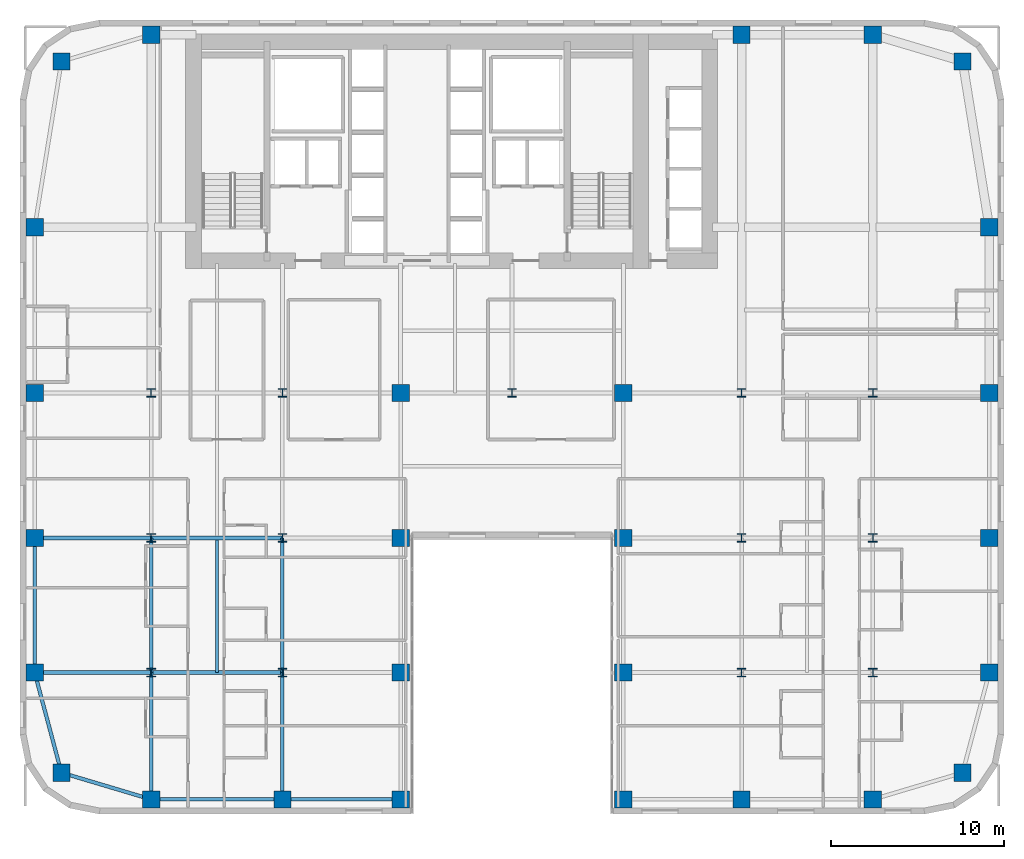
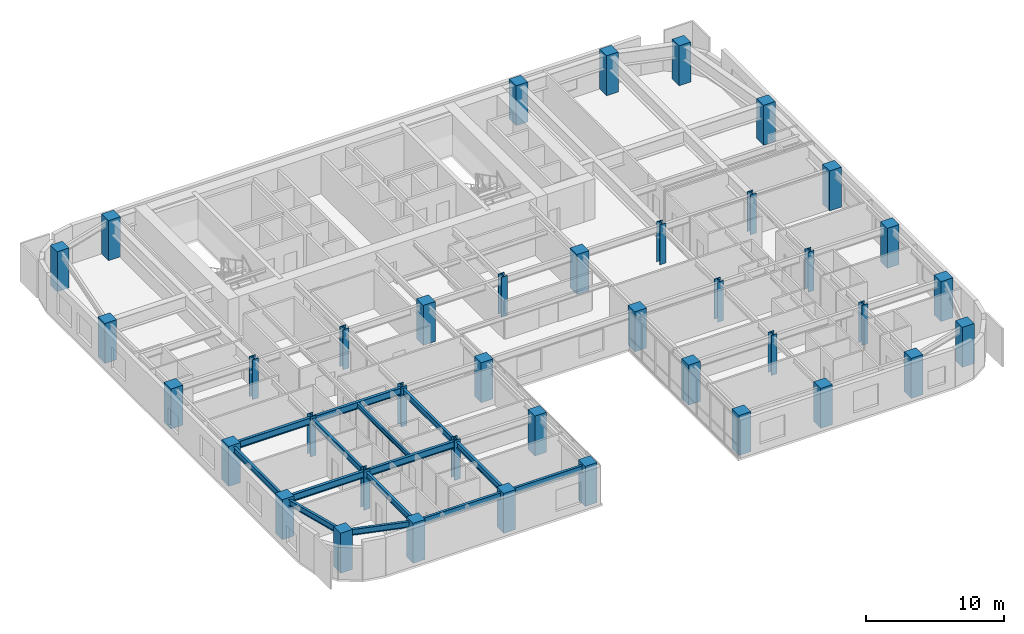
# One storey, part 1 of 17: 40 columns, 14 beams.
"""IFC4 building model written with IfcOpenShell, lengths in metres."""

from ifc_helpers import new_model, si_unit, direction, frame, origin, origin_2d, place, context, subcontext, project, spatial, rectangle, i_section, extrude, source, transform, mapped, material, material_profile, profile_set, type_object, type_shapes, element, save


model = new_model("IFC4")

# Units and contexts
model_context = context("Model", 3, precision=1e-05, world=origin(), true_north=direction((0.0, 1.0)))
body_context = subcontext(model_context, "Body", "Model", "MODEL_VIEW")
ifc_project = project(units=[si_unit("LENGTHUNIT", "METRE"), si_unit("AREAUNIT", "SQUARE_METRE"), si_unit("VOLUMEUNIT", "CUBIC_METRE"), si_unit("PLANEANGLEUNIT", "RADIAN"), si_unit("MASSUNIT", "GRAM", prefix="KILO")], contexts=[model_context])

# Site, building, storey
site_placement = place(None, origin())
site = spatial("IfcSite", under=ifc_project, at=site_placement, CompositionType="ELEMENT")
building_placement = place(site_placement, origin())
building = spatial("IfcBuilding", under=site, at=building_placement, Name="Tolvann Quenvar Hotel", CompositionType="ELEMENT")
storey_placement = place(building_placement, frame((0.0, 0.0, 42.64990234375)))
storey = spatial("IfcBuildingStorey", under=building, at=storey_placement, Name="L09", CompositionType="ELEMENT", Elevation=42.64990234375)

# Columns
ifc_material_1 = material(Name="Concrete S65 (65 MPa)", Category="concrete")
ifc_material_profile_1 = material_profile(ifc_material_1, rectangle(XDim=1.0, YDim=1.0, at=origin_2d()), Name="RC1000x1000")
ifc_profile_set_1 = profile_set([ifc_material_profile_1], Name="Concrete S65 (65 MPa)")
column_type_1 = type_object("IfcColumnType", Name="COL_RC1000", PredefinedType="COLUMN", material=ifc_profile_set_1)
shared_shape_1 = source(origin(), body_context, "Body", "SweptSolid", [
    extrude(rectangle(XDim=1.0, YDim=1.0, at=origin_2d()), origin(), (0.0, 0.0, 1.0), 3.550048828125),
])
type_shapes(column_type_1, [shared_shape_1])
for number, where, z_axis, x_axis, name in (
    (1, (2.39990234375, 2.39990234375, 0.0), (0.0, 0.0, 1.0), (1.0, 0.0, 0.0), "Column B2 (L09)"),
    (2, (0.85009765625, 8.199951171875, 0.0), (0.0, 0.0, 1.0), (1.0, 0.0, 0.0), "Column B3 (L09)"),
    (3, (0.85009765625, 16.0, 0.0), (0.0, 0.0, 1.0), (1.0, 0.0, 0.0), "Column B4 (L09)"),
    (4, (0.85009765625, 24.39990234375, 0.0), (0.0, 0.0, 1.0), (1.0, 0.0, 0.0), "Column B5 (L09)"),
    (5, (7.60009765625, 0.85009765625, 0.0), (0.0, 0.0, 1.0), (1.0, 0.0, 0.0), "Column C2 (L09)"),
    (6, (15.199951171875, 0.85009765625, 0.0), (0.0, 0.0, 1.0), (1.0, 0.0, 0.0), "Column D2 (L09)"),
    (7, (22.050048828125, 0.85009765625, 0.0), (0.0, 0.0, 1.0), (1.0, 0.0, 0.0), "Column E2 (L09)"),
    (8, (22.050048828125, 8.199951171875, 0.0), (0.0, 0.0, 1.0), (1.0, 0.0, 0.0), "Column E3 (L09)"),
    (9, (22.050048828125, 16.0, 0.0), (0.0, 0.0, 1.0), (1.0, 0.0, 0.0), "Column E4 (L09)"),
    (10, (22.050048828125, 24.39990234375, 0.0), (0.0, 0.0, 1.0), (1.0, 0.0, 0.0), "Column E5 (L09)"),
    (11, (34.949951171875, 0.85009765625, 0.0), (0.0, 0.0, 1.0), (1.0, 0.0, 0.0), "Column F2 (L09)"),
    (12, (34.949951171875, 8.199951171875, 0.0), (0.0, 0.0, 1.0), (1.0, 0.0, 0.0), "Column F3 (L09)"),
    (13, (34.949951171875, 16.0, 0.0), (0.0, 0.0, 1.0), (1.0, 0.0, 0.0), "Column F4 (L09)"),
    (14, (34.949951171875, 24.39990234375, 0.0), (0.0, 0.0, 1.0), (1.0, 0.0, 0.0), "Column F5 (L09)"),
    (15, (41.800048828125, 0.85009765625, 0.0), (0.0, 0.0, 1.0), (1.0, 0.0, 0.0), "Column H2 (L09)"),
    (16, (49.39990234375, 0.85009765625, 0.0), (0.0, 0.0, 1.0), (1.0, 0.0, 0.0), "Column I2 (L09)"),
    (17, (54.60009765625, 2.39990234375, 0.0), (0.0, 0.0, 1.0), (1.0, 0.0, 0.0), "Column J2 (L09)"),
    (18, (56.14990234375, 8.199951171875, 0.0), (0.0, 0.0, 1.0), (1.0, 0.0, 0.0), "Column J3 (L09)"),
    (19, (56.14990234375, 16.0, 0.0), (0.0, 0.0, 1.0), (1.0, 0.0, 0.0), "Column J4 (L09)"),
    (20, (56.14990234375, 24.39990234375, 0.0), (0.0, 0.0, 1.0), (1.0, 0.0, 0.0), "Column J5 (L09)"),
    (21, (2.39990234375, 43.60009765625, 0.0), (0.0, 0.0, 1.0), (1.0, 0.0, 0.0), "Column BN (L09)"),
    (22, (7.60009765625, 45.14990234375, 0.0), (0.0, 0.0, 1.0), (1.0, 0.0, 0.0), "Column CN (L09)"),
    (23, (0.85009765625, 34.0, 0.0), (0.0, 0.0, 1.0), (1.0, 0.0, 0.0), "Column BD6 (L09)"),
    (24, (41.800048828125, 45.14990234375, 0.0), (0.0, 0.0, 1.0), (1.0, 0.0, 0.0), "Column HN (L09)"),
    (25, (49.39990234375, 45.14990234375, 0.0), (0.0, 0.0, 1.0), (1.0, 0.0, 0.0), "Column IN (L09)"),
    (26, (54.60009765625, 43.60009765625, 0.0), (0.0, 0.0, 1.0), (1.0, 0.0, 0.0), "Column JN (L09)"),
    (27, (56.14990234375, 34.0, 0.0), (0.0, 0.0, 1.0), (1.0, 0.0, 0.0), "Column JD6 (L09)"),
):
    element("IfcColumn", number, at=place(storey_placement, frame(where, z_axis=z_axis, x_axis=x_axis)), inside=storey, type_object=column_type_1, Name=name, PredefinedType="COLUMN", context=body_context, shape_type="MappedRepresentation", body=[
        mapped(shared_shape_1, transform((0.0, 0.0, 0.0), x_axis=(1.0, 0.0, 0.0), y_axis=(0.0, 1.0, 0.0), z_axis=(0.0, 0.0, 1.0), scale=1.0)),
    ])
ifc_material_2 = material(Name="Steel Grade 350", Category="steel")
ifc_material_profile_2 = material_profile(ifc_material_2, i_section(OverallWidth=0.5, OverallDepth=0.5, WebThickness=0.028076171875, FlangeThickness=0.044921875, at=origin_2d()), Name="500WC440")
ifc_profile_set_2 = profile_set([ifc_material_profile_2], Name="Steel Grade 350")
column_type_2 = type_object("IfcColumnType", Name="COL_500WC440", PredefinedType="COLUMN", material=ifc_profile_set_2)
shared_shape_2 = source(origin(), body_context, "Body", "SweptSolid", [
    extrude(i_section(OverallWidth=0.5, OverallDepth=0.5, WebThickness=0.028076171875, FlangeThickness=0.044921875, at=origin_2d()), origin(), (0.0, 0.0, 1.0), 3.550048828125),
])
type_shapes(column_type_2, [shared_shape_2])
for number, where, z_axis, x_axis, name in (
    (28, (7.60009765625, 8.199951171875, 0.0), (0.0, 0.0, 1.0), (1.0, 0.0, 0.0), "Column C3 (L09)"),
    (29, (7.60009765625, 16.0, 0.0), (0.0, 0.0, 1.0), (1.0, 0.0, 0.0), "Column C4 (L09)"),
    (30, (7.60009765625, 24.39990234375, 0.0), (0.0, 0.0, 1.0), (1.0, 0.0, 0.0), "Column C5 (L09)"),
    (31, (15.199951171875, 8.199951171875, 0.0), (0.0, 0.0, 1.0), (1.0, 0.0, 0.0), "Column D3 (L09)"),
    (32, (15.199951171875, 16.0, 0.0), (0.0, 0.0, 1.0), (1.0, 0.0, 0.0), "Column D4 (L09)"),
    (33, (15.199951171875, 24.39990234375, 0.0), (0.0, 0.0, 1.0), (1.0, 0.0, 0.0), "Column D5 (L09)"),
    (34, (41.800048828125, 8.199951171875, 0.0), (0.0, 0.0, 1.0), (1.0, 0.0, 0.0), "Column H3 (L09)"),
    (35, (41.800048828125, 16.0, 0.0), (0.0, 0.0, 1.0), (1.0, 0.0, 0.0), "Column H4 (L09)"),
    (36, (41.800048828125, 24.39990234375, 0.0), (0.0, 0.0, 1.0), (1.0, 0.0, 0.0), "Column H5 (L09)"),
    (37, (49.39990234375, 8.199951171875, 0.0), (0.0, 0.0, 1.0), (1.0, 0.0, 0.0), "Column I3 (L09)"),
    (38, (49.39990234375, 16.0, 0.0), (0.0, 0.0, 1.0), (1.0, 0.0, 0.0), "Column I4 (L09)"),
    (39, (49.39990234375, 24.39990234375, 0.0), (0.0, 0.0, 1.0), (1.0, 0.0, 0.0), "Column I5 (L09)"),
    (40, (28.5, 24.39990234375, 0.0), (0.0, 0.0, 1.0), (1.0, 0.0, 0.0), "Column M5 (L09)"),
):
    element("IfcColumn", number, at=place(storey_placement, frame(where, z_axis=z_axis, x_axis=x_axis)), inside=storey, type_object=column_type_2, Name=name, PredefinedType="COLUMN", context=body_context, shape_type="MappedRepresentation", body=[
        mapped(shared_shape_2, transform((0.0, 0.0, 0.0), x_axis=(1.0, 0.0, 0.0), y_axis=(0.0, 1.0, 0.0), z_axis=(0.0, 0.0, 1.0), scale=1.0)),
    ])

# Beams
ifc_material_profile_3 = material_profile(ifc_material_2, i_section(OverallWidth=0.208984375, OverallDepth=0.528076171875, WebThickness=0.009521484375, FlangeThickness=0.01318359375, FilletRadius=0.013916015625, at=origin_2d()), Name="530UB82")
ifc_profile_set_3 = profile_set([ifc_material_profile_3], Name="Steel Grade 350")
beam_type_1 = type_object("IfcBeamType", Name="BM_SPAND_530UB82", PredefinedType="SPANDREL", material=ifc_profile_set_3)
shared_shape_3 = source(origin(), body_context, "Body", "SweptSolid", [
    extrude(i_section(OverallWidth=0.208984375, OverallDepth=0.528076171875, WebThickness=0.009521484375, FlangeThickness=0.01318359375, FilletRadius=0.013916015625, at=origin_2d()), origin(), (0.0, 0.0, 1.0), 5.42626953125),
])
beam_1_placement = place(storey_placement, frame((2.39990234375, 2.39990234375, 3.106201171875), z_axis=(0.958344815522, -0.285613750654, 0.0), x_axis=(0.285613750654, 0.958344815522, 0.0)))
element("IfcBeam", 41, at=beam_1_placement, inside=storey, type_object=beam_type_1, Name="BM-L09-EW-2-B2-C2", PredefinedType="SPANDREL", context=body_context, shape_type="MappedRepresentation", body=[
    mapped(shared_shape_3, transform((0.0, 0.0, 0.0), x_axis=(1.0, 0.0, 0.0), y_axis=(0.0, 1.0, 0.0), z_axis=(0.0, 0.0, 1.0), scale=1.0)),
])
shared_shape_4 = source(origin(), body_context, "Body", "SweptSolid", [
    extrude(i_section(OverallWidth=0.208984375, OverallDepth=0.528076171875, WebThickness=0.009521484375, FlangeThickness=0.01318359375, FilletRadius=0.013916015625, at=origin_2d()), origin(), (0.0, 0.0, 1.0), 7.599853515625),
])
beam_2_placement = place(storey_placement, frame((7.60009765625, 0.85009765625, 3.106201171875), z_axis=(1.0, 0.0, 0.0), x_axis=(0.0, 1.0, 0.0)))
element("IfcBeam", 42, at=beam_2_placement, inside=storey, type_object=beam_type_1, Name="BM-L09-EW-2-C2-D2", PredefinedType="SPANDREL", context=body_context, shape_type="MappedRepresentation", body=[
    mapped(shared_shape_4, transform((0.0, 0.0, 0.0), x_axis=(1.0, 0.0, 0.0), y_axis=(0.0, 1.0, 0.0), z_axis=(0.0, 0.0, 1.0), scale=1.0)),
])
shared_shape_5 = source(origin(), body_context, "Body", "SweptSolid", [
    extrude(i_section(OverallWidth=0.208984375, OverallDepth=0.528076171875, WebThickness=0.009521484375, FlangeThickness=0.01318359375, FilletRadius=0.013916015625, at=origin_2d()), origin(), (0.0, 0.0, 1.0), 6.85009765625),
])
beam_3_placement = place(storey_placement, frame((15.199951171875, 0.85009765625, 3.106201171875), z_axis=(1.0, 0.0, 0.0), x_axis=(0.0, 1.0, 0.0)))
element("IfcBeam", 43, at=beam_3_placement, inside=storey, type_object=beam_type_1, Name="BM-L09-EW-2-D2-E2", PredefinedType="SPANDREL", context=body_context, shape_type="MappedRepresentation", body=[
    mapped(shared_shape_5, transform((0.0, 0.0, 0.0), x_axis=(1.0, 0.0, 0.0), y_axis=(0.0, 1.0, 0.0), z_axis=(0.0, 0.0, 1.0), scale=1.0)),
])
ifc_material_profile_4 = material_profile(ifc_material_2, i_section(OverallWidth=0.22900390625, OverallDepth=0.612060546875, WebThickness=0.011962890625, FlangeThickness=0.01953125, FilletRadius=0.013916015625, at=origin_2d()), Name="610UB125")
ifc_profile_set_4 = profile_set([ifc_material_profile_4], Name="Steel Grade 350")
beam_type_2 = type_object("IfcBeamType", Name="BM_GIRD_610UB125", PredefinedType="BEAM", material=ifc_profile_set_4)
shared_shape_6 = source(origin(), body_context, "Body", "SweptSolid", [
    extrude(i_section(OverallWidth=0.22900390625, OverallDepth=0.612060546875, WebThickness=0.011962890625, FlangeThickness=0.01953125, FilletRadius=0.013916015625, at=origin_2d()), origin(), (0.0, 0.0, 1.0), 6.75),
])
for number, where, z_axis, x_axis, name in (
    (44, (0.85009765625, 8.199951171875, 3.064208984375), (1.0, 0.0, 0.0), (0.0, 1.0, 0.0), "BM-L09-EW-3-B3-C3"),
    (45, (0.85009765625, 16.0, 3.064208984375), (1.0, 0.0, 0.0), (0.0, 1.0, 0.0), "BM-L09-EW-4-B4-C4"),
):
    element("IfcBeam", number, at=place(storey_placement, frame(where, z_axis=z_axis, x_axis=x_axis)), inside=storey, type_object=beam_type_2, Name=name, PredefinedType="BEAM", context=body_context, shape_type="MappedRepresentation", body=[
        mapped(shared_shape_6, transform((0.0, 0.0, 0.0), x_axis=(1.0, 0.0, 0.0), y_axis=(0.0, 1.0, 0.0), z_axis=(0.0, 0.0, 1.0), scale=1.0)),
    ])
shared_shape_7 = source(origin(), body_context, "Body", "SweptSolid", [
    extrude(i_section(OverallWidth=0.22900390625, OverallDepth=0.612060546875, WebThickness=0.011962890625, FlangeThickness=0.01953125, FilletRadius=0.013916015625, at=origin_2d()), origin(), (0.0, 0.0, 1.0), 7.599853515625),
])
type_shapes(beam_type_2, [shared_shape_6, shared_shape_7])
for number, where, z_axis, x_axis, name in (
    (46, (7.60009765625, 8.199951171875, 3.064208984375), (1.0, 0.0, 0.0), (0.0, 1.0, 0.0), "BM-L09-EW-3-C3-D3"),
    (47, (7.60009765625, 16.0, 3.064208984375), (1.0, 0.0, 0.0), (0.0, 1.0, 0.0), "BM-L09-EW-4-C4-D4"),
):
    element("IfcBeam", number, at=place(storey_placement, frame(where, z_axis=z_axis, x_axis=x_axis)), inside=storey, type_object=beam_type_2, Name=name, PredefinedType="BEAM", context=body_context, shape_type="MappedRepresentation", body=[
        mapped(shared_shape_7, transform((0.0, 0.0, 0.0), x_axis=(1.0, 0.0, 0.0), y_axis=(0.0, 1.0, 0.0), z_axis=(0.0, 0.0, 1.0), scale=1.0)),
    ])
shared_shape_8 = source(origin(), body_context, "Body", "SweptSolid", [
    extrude(i_section(OverallWidth=0.208984375, OverallDepth=0.528076171875, WebThickness=0.009521484375, FlangeThickness=0.01318359375, FilletRadius=0.013916015625, at=origin_2d()), origin(), (0.0, 0.0, 1.0), 6.00341796875),
])
beam_4_placement = place(storey_placement, frame((2.39990234375, 2.39990234375, 3.106201171875), z_axis=(-0.258148586649, 0.966105225745, 0.0), x_axis=(-0.966105225745, -0.258148586649, 0.0)))
element("IfcBeam", 48, at=beam_4_placement, inside=storey, type_object=beam_type_1, Name="BM-L09-NS-B2-B3", PredefinedType="SPANDREL", context=body_context, shape_type="MappedRepresentation", body=[
    mapped(shared_shape_8, transform((0.0, 0.0, 0.0), x_axis=(1.0, 0.0, 0.0), y_axis=(0.0, 1.0, 0.0), z_axis=(0.0, 0.0, 1.0), scale=1.0)),
])
shared_shape_9 = source(origin(), body_context, "Body", "SweptSolid", [
    extrude(i_section(OverallWidth=0.208984375, OverallDepth=0.528076171875, WebThickness=0.009521484375, FlangeThickness=0.01318359375, FilletRadius=0.013916015625, at=origin_2d()), origin(), (0.0, 0.0, 1.0), 7.800048828125),
])
type_shapes(beam_type_1, [shared_shape_3, shared_shape_4, shared_shape_5, shared_shape_8, shared_shape_9])
beam_5_placement = place(storey_placement, frame((0.85009765625, 8.199951171875, 3.106201171875), z_axis=(0.0, 1.0, 0.0), x_axis=(-1.0, 0.0, 0.0)))
element("IfcBeam", 49, at=beam_5_placement, inside=storey, type_object=beam_type_1, Name="BM-L09-NS-B3-B4", PredefinedType="SPANDREL", context=body_context, shape_type="MappedRepresentation", body=[
    mapped(shared_shape_9, transform((0.0, 0.0, 0.0), x_axis=(1.0, 0.0, 0.0), y_axis=(0.0, 1.0, 0.0), z_axis=(0.0, 0.0, 1.0), scale=1.0)),
])
ifc_material_profile_5 = material_profile(ifc_material_2, i_section(OverallWidth=0.208984375, OverallDepth=0.532958984375, WebThickness=0.01025390625, FlangeThickness=0.015625, FilletRadius=0.013916015625, at=origin_2d()), Name="530UB92")
ifc_profile_set_5 = profile_set([ifc_material_profile_5], Name="Steel Grade 350")
beam_type_3 = type_object("IfcBeamType", Name="BM_GIRD_530UB92", PredefinedType="BEAM", material=ifc_profile_set_5)
shared_shape_10 = source(origin(), body_context, "Body", "SweptSolid", [
    extrude(i_section(OverallWidth=0.208984375, OverallDepth=0.532958984375, WebThickness=0.01025390625, FlangeThickness=0.015625, FilletRadius=0.013916015625, at=origin_2d()), origin(), (0.0, 0.0, 1.0), 7.349853515625),
])
for number, where, z_axis, x_axis, name in (
    (50, (7.60009765625, 0.85009765625, 3.103515625), (0.0, 1.0, 0.0), (-1.0, 0.0, 0.0), "BM-L09-NS-C2-C3"),
    (51, (15.199951171875, 0.85009765625, 3.103515625), (0.0, 1.0, 0.0), (-1.0, 0.0, 0.0), "BM-L09-NS-D2-D3"),
):
    element("IfcBeam", number, at=place(storey_placement, frame(where, z_axis=z_axis, x_axis=x_axis)), inside=storey, type_object=beam_type_3, Name=name, PredefinedType="BEAM", context=body_context, shape_type="MappedRepresentation", body=[
        mapped(shared_shape_10, transform((0.0, 0.0, 0.0), x_axis=(1.0, 0.0, 0.0), y_axis=(0.0, 1.0, 0.0), z_axis=(0.0, 0.0, 1.0), scale=1.0)),
    ])
shared_shape_11 = source(origin(), body_context, "Body", "SweptSolid", [
    extrude(i_section(OverallWidth=0.208984375, OverallDepth=0.532958984375, WebThickness=0.01025390625, FlangeThickness=0.015625, FilletRadius=0.013916015625, at=origin_2d()), origin(), (0.0, 0.0, 1.0), 7.800048828125),
])
type_shapes(beam_type_3, [shared_shape_10, shared_shape_11])
for number, where, z_axis, x_axis, name in (
    (52, (7.60009765625, 8.199951171875, 3.103515625), (0.0, 1.0, 0.0), (-1.0, 0.0, 0.0), "BM-L09-NS-C3-C4"),
    (53, (15.199951171875, 8.199951171875, 3.103515625), (0.0, 1.0, 0.0), (-1.0, 0.0, 0.0), "BM-L09-NS-D3-D4"),
):
    element("IfcBeam", number, at=place(storey_placement, frame(where, z_axis=z_axis, x_axis=x_axis)), inside=storey, type_object=beam_type_3, Name=name, PredefinedType="BEAM", context=body_context, shape_type="MappedRepresentation", body=[
        mapped(shared_shape_11, transform((0.0, 0.0, 0.0), x_axis=(1.0, 0.0, 0.0), y_axis=(0.0, 1.0, 0.0), z_axis=(0.0, 0.0, 1.0), scale=1.0)),
    ])
ifc_material_profile_6 = material_profile(ifc_material_2, i_section(OverallWidth=0.177978515625, OverallDepth=0.406005859375, WebThickness=0.0078125, FlangeThickness=0.0126953125, FilletRadius=0.011474609375, at=origin_2d()), Name="410UB60")
ifc_profile_set_6 = profile_set([ifc_material_profile_6], Name="Steel Grade 350")
beam_type_4 = type_object("IfcBeamType", Name="BM_JOIST_410UB60", PredefinedType="JOIST", material=ifc_profile_set_6)
shared_shape_12 = source(origin(), body_context, "Body", "SweptSolid", [
    extrude(i_section(OverallWidth=0.177978515625, OverallDepth=0.406005859375, WebThickness=0.0078125, FlangeThickness=0.0126953125, FilletRadius=0.011474609375, at=origin_2d()), origin(), (0.0, 0.0, 1.0), 7.691650390625),
])
type_shapes(beam_type_4, [shared_shape_12])
beam_6_placement = place(storey_placement, frame((11.39990234375, 8.199951171875, 3.1669921875), z_axis=(0.0, 1.0, 0.0), x_axis=(-1.0, 0.0, 0.0)))
element("IfcBeam", 54, at=beam_6_placement, inside=storey, type_object=beam_type_4, Name="BJ-L09-114-82", PredefinedType="JOIST", context=body_context, shape_type="MappedRepresentation", body=[
    mapped(shared_shape_12, transform((0.0, 0.0, 0.0), x_axis=(1.0, 0.0, 0.0), y_axis=(0.0, 1.0, 0.0), z_axis=(0.0, 0.0, 1.0), scale=1.0)),
])

save(model, "model.ifc")
